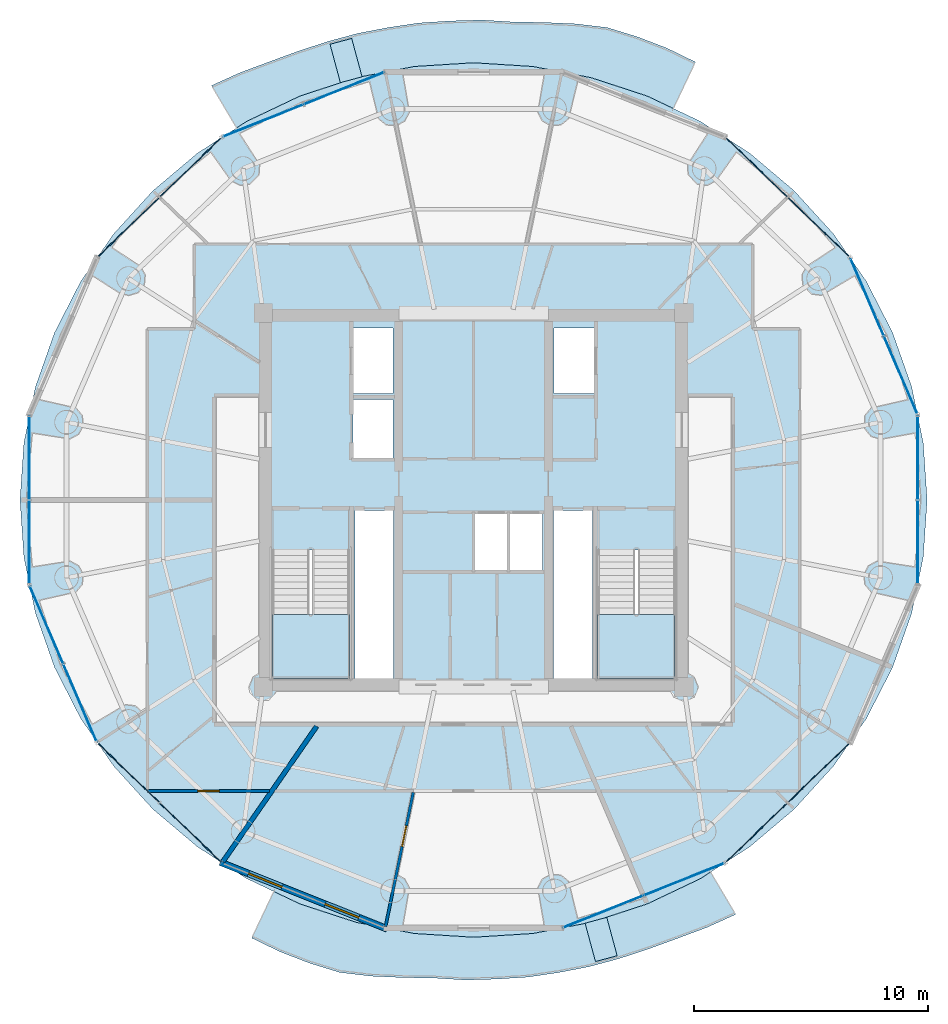
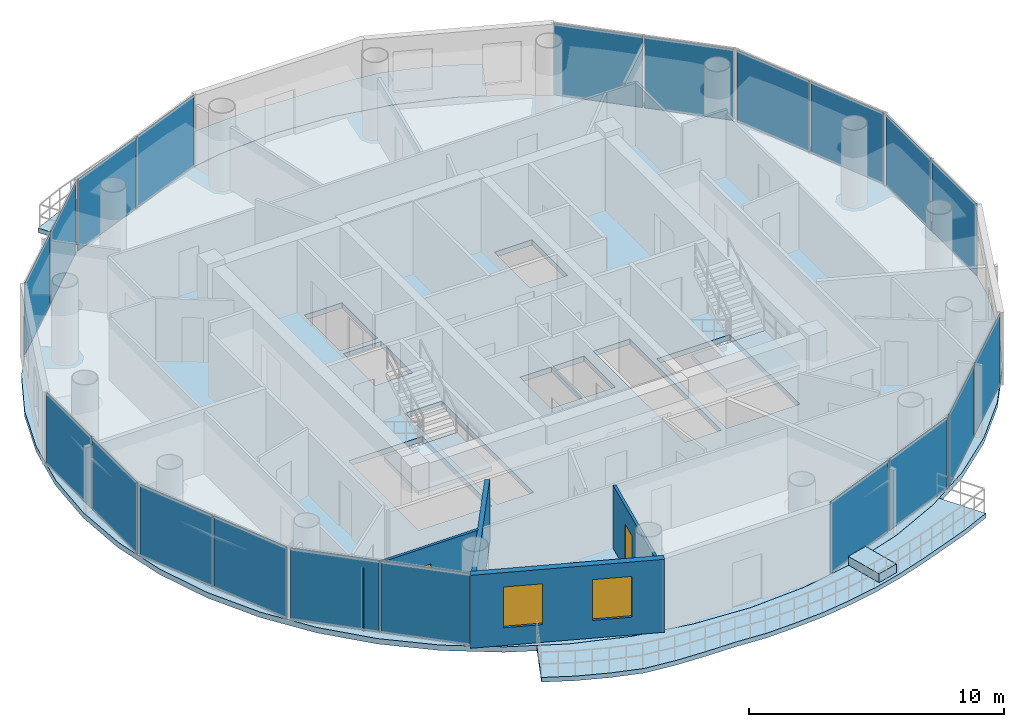
# One storey, part 17 of 24: 20 plates, 7 slabs, 4 walls, 2 doors, 2 windows, 4 openings, 12 elements without a shape of their own.
"""IFC4 building model written with IfcOpenShell, lengths in metres."""

from ifc_helpers import new_model, si_unit, direction, frame, frame_2d, origin, origin_2d, place, context, subcontext, project, spatial, polyline, rectangle, outline, extrude, source, transform, mapped, material, layer, layer_set, type_object, element, fill, aggregate, save


model = new_model("IFC4")

# Units and contexts
model_context = context("Model", 3, precision=1e-05, world=origin(), true_north=direction((-0.2419218956, 0.970295726276)))
body_context = subcontext(model_context, "Body", "Model", "MODEL_VIEW")
ifc_project = project(units=[si_unit("LENGTHUNIT", "METRE"), si_unit("AREAUNIT", "SQUARE_METRE"), si_unit("VOLUMEUNIT", "CUBIC_METRE"), si_unit("PLANEANGLEUNIT", "RADIAN"), si_unit("MASSUNIT", "GRAM", prefix="KILO")], contexts=[model_context])

# Site, building, storey
site_placement = place(None, origin())
site = spatial("IfcSite", under=ifc_project, at=site_placement, CompositionType="ELEMENT")
building_placement = place(site_placement, origin())
building = spatial("IfcBuilding", under=site, at=building_placement, Name="Cobrevalo Terracotta Tower", CompositionType="ELEMENT")
storey_placement = place(building_placement, frame((0.0, 0.0, 270.699951171875)))
storey = spatial("IfcBuildingStorey", under=building, at=storey_placement, Name="L71", CompositionType="ELEMENT", Elevation=270.699951171875)

# Stair, slab
ifc_material_1 = material(Name="Concrete C50", Category="concrete")
stair_type = type_object("IfcStairType", Name="Core protected escape dogleg stair 1600", PredefinedType="HALF_TURN_STAIR", material=ifc_material_1)
stair_1_placement = place(storey_placement, origin())
stair_1 = element("IfcStair", 1, at=stair_1_placement, inside=storey, type_object=stair_type, Name="L71 Protected exit stair ST-1", PredefinedType="HALF_TURN_STAIR")
ifc_layer_1 = layer(ifc_material_1, 0.199951171875)
ifc_layer_set_1 = layer_set([ifc_layer_1], Name="Concrete C50")
slab_type_1 = type_object("IfcSlabType", Name="Reinforced Concrete Stair Landing 200", PredefinedType="LANDING", material=ifc_layer_set_1)
slab_1_placement = place(storey_placement, frame((0.0, 0.0, 1.675048828125)))
slab_1 = element("IfcSlab", 2, at=slab_1_placement, type_object=slab_type_1, Name="ST-1 landing 1", PredefinedType="LANDING", context=body_context, shape_type="SweptSolid", body=[
    extrude(outline(polyline([(29.375, 21.89990234375), (29.375, 19.175048828125), (32.695068359375, 19.175048828125), (32.695068359375, 21.89990234375), (29.375, 21.89990234375)])), origin(), (0.0, 0.0, 1.0), 0.199951171875),
])
aggregate(stair_1, [slab_1])

stair_2_placement = place(storey_placement, origin())
stair_2 = element("IfcStair", 3, at=stair_2_placement, inside=storey, type_object=stair_type, Name="L71 Protected exit stair ST-2", PredefinedType="HALF_TURN_STAIR")
slab_2_placement = place(storey_placement, frame((0.0, 0.0, 1.675048828125)))
slab_2 = element("IfcSlab", 4, at=slab_2_placement, type_object=slab_type_1, Name="ST-2 landing 1", PredefinedType="LANDING", context=body_context, shape_type="SweptSolid", body=[
    extrude(outline(polyline([(43.304931640625, 21.89990234375), (43.304931640625, 19.175048828125), (46.625, 19.175048828125), (46.625, 21.89990234375), (43.304931640625, 21.89990234375)])), origin(), (0.0, 0.0, 1.0), 0.199951171875),
])
aggregate(stair_2, [slab_2])

# Slabs
ifc_material_2 = material(Name="Concrete C45", Category="concrete")
ifc_layer_2 = layer(ifc_material_2, 0.219970703125)
ifc_layer_set_2 = layer_set([ifc_layer_2], Name="Concrete C45")
slab_type_2 = type_object("IfcSlabType", Name="Spiralling cantilevered balcony lobe slab 220 mm", PredefinedType="FLOOR", material=ifc_layer_set_2)
slab_3_placement = place(storey_placement, frame((0.0, 0.0, -0.219970703125)))
element("IfcSlab", 5, at=slab_3_placement, inside=storey, type_object=slab_type_2, Name="L71 spiralling arc balcony slab lobe 1", PredefinedType="FLOOR", context=body_context, shape_type="SweptSolid", body=[
    extrude(outline(polyline([(47.488525390625, 45.53369140625), (46.275146484375, 46.123046875), (45.01171875, 46.609375), (43.716552734375, 47.007568359375), (42.36572265625, 47.1669921875), (41.01318359375, 47.2265625), (39.67333984375, 47.247802734375), (38.342529296875, 47.329833984375), (37.01171875, 47.291015625), (35.68115234375, 47.20556640625), (34.364990234375, 47.01171875), (33.056884765625, 46.760009765625), (31.774169921875, 46.414306640625), (30.510498046875, 46.00048828125), (29.263671875, 45.54443359375), (28.0107421875, 45.07666015625), (26.790283203125, 44.525390625), (27.862060546875, 42.71484375), (28.299072265625, 42.996337890625), (30.5751953125, 44.078369140625), (32.978271484375, 44.86474609375), (35.467529296875, 45.342041015625), (38.0, 45.501953125), (40.532470703125, 45.342041015625), (43.021728515625, 44.86474609375), (45.4248046875, 44.078369140625), (46.545654296875, 43.545654296875), (47.488525390625, 45.53369140625)])), origin(), (0.0, 0.0, 1.0), 0.219970703125),
])
slab_4_placement = place(storey_placement, frame((0.0, 0.0, -0.219970703125)))
element("IfcSlab", 6, at=slab_4_placement, inside=storey, type_object=slab_type_2, Name="L71 spiralling arc balcony slab lobe 2", PredefinedType="FLOOR", context=body_context, shape_type="SweptSolid", body=[
    extrude(outline(polyline([(28.511474609375, 8.06640625), (29.724853515625, 7.476806640625), (30.98828125, 6.990478515625), (32.283447265625, 6.59228515625), (33.63427734375, 6.43310546875), (34.98681640625, 6.37353515625), (36.32666015625, 6.352294921875), (37.657470703125, 6.27001953125), (38.98828125, 6.30908203125), (40.31884765625, 6.39453125), (41.635009765625, 6.588134765625), (42.943115234375, 6.83984375), (44.225830078125, 7.185546875), (45.489501953125, 7.599365234375), (46.736328125, 8.0556640625), (47.9892578125, 8.523193359375), (49.209716796875, 9.074462890625), (48.137939453125, 10.885009765625), (47.700927734375, 10.603515625), (45.4248046875, 9.521484375), (43.021728515625, 8.7353515625), (40.532470703125, 8.258056640625), (38.0, 8.097900390625), (35.467529296875, 8.258056640625), (32.978271484375, 8.7353515625), (30.5751953125, 9.521484375), (29.454345703125, 10.054443359375), (28.511474609375, 8.06640625)])), origin(), (0.0, 0.0, 1.0), 0.219970703125),
])
ifc_material_3 = material(Name="Precast concrete C45", Category="concrete")
ifc_layer_3 = layer(ifc_material_3, 0.419921875)
ifc_layer_set_3 = layer_set([ifc_layer_3], Name="Precast concrete C45")
slab_type_3 = type_object("IfcSlabType", Name="Structural tree planter trough base 420 mm", PredefinedType="USERDEFINED", material=ifc_layer_set_3)
slab_5_placement = place(storey_placement, origin())
element("IfcSlab", 7, at=slab_5_placement, inside=storey, type_object=slab_type_3, Name="L71 structural tree planter trough 1", ObjectType="PLANTER", PredefinedType="USERDEFINED", context=body_context, shape_type="SweptSolid", body=[
    extrude(outline(polyline([(33.230224609375, 44.901123046875), (32.786376953125, 46.5419921875), (31.85986328125, 46.29150390625), (32.3037109375, 44.650390625), (33.230224609375, 44.901123046875)])), origin(), (0.0, 0.0, 1.0), 0.420166015625),
])
slab_6_placement = place(storey_placement, origin())
element("IfcSlab", 8, at=slab_6_placement, inside=storey, type_object=slab_type_3, Name="L71 structural tree planter trough 2", ObjectType="PLANTER", PredefinedType="USERDEFINED", context=body_context, shape_type="SweptSolid", body=[
    extrude(outline(polyline([(42.769775390625, 8.698974609375), (43.213623046875, 7.057861328125), (44.14013671875, 7.30859375), (43.6962890625, 8.949462890625), (42.769775390625, 8.698974609375)])), origin(), (0.0, 0.0, 1.0), 0.420166015625),
])
ifc_layer_4 = layer(ifc_material_2, 0.260009765625)
ifc_layer_set_4 = layer_set([ifc_layer_4], Name="Concrete C45")
slab_type_4 = type_object("IfcSlabType", Name="Zone Z5 elliptical floor plate 260 mm", PredefinedType="FLOOR", material=ifc_layer_set_4)
slab_7_placement = place(storey_placement, frame((0.0, 0.0, -0.260009765625)))
element("IfcSlab", 9, at=slab_7_placement, inside=storey, type_object=slab_type_4, Name="L71 indoor elliptical floor slab", PredefinedType="FLOOR", context=body_context, shape_type="SweptSolid", body=[
    extrude(outline(polyline([(57.234130859375, 24.359130859375), (56.739013671875, 21.9599609375), (55.92333984375, 19.643798828125), (54.80078125, 17.449951171875), (53.39111328125, 15.416259765625), (51.7177734375, 13.5771484375), (49.81005859375, 11.96435546875), (47.699951171875, 10.605224609375), (45.424072265625, 9.5234375), (43.02099609375, 8.7373046875), (40.5322265625, 8.260009765625), (38.0, 8.10009765625), (35.4677734375, 8.260009765625), (32.97900390625, 8.7373046875), (30.575927734375, 9.5234375), (28.300048828125, 10.605224609375), (26.18994140625, 11.96435546875), (24.2822265625, 13.5771484375), (22.60888671875, 15.416259765625), (21.19921875, 17.449951171875), (20.07666015625, 19.643798828125), (19.260986328125, 21.9599609375), (18.765869140625, 24.359130859375), (18.60009765625, 26.800048828125), (18.765869140625, 29.24072265625), (19.260986328125, 31.639892578125), (20.07666015625, 33.956298828125), (21.19921875, 36.14990234375), (22.60888671875, 38.183837890625), (24.2822265625, 40.02294921875), (26.18994140625, 41.6357421875), (28.300048828125, 42.99462890625), (30.575927734375, 44.07666015625), (32.97900390625, 44.86279296875), (35.4677734375, 45.340087890625), (38.0, 45.5), (40.5322265625, 45.340087890625), (43.02099609375, 44.86279296875), (45.424072265625, 44.07666015625), (47.699951171875, 42.99462890625), (49.81005859375, 41.6357421875), (51.7177734375, 40.02294921875), (53.39111328125, 38.183837890625), (54.80078125, 36.14990234375), (55.92333984375, 33.956298828125), (56.739013671875, 31.639892578125), (57.234130859375, 29.24072265625), (57.39990234375, 26.800048828125), (57.234130859375, 24.359130859375)]), holes=[polyline([(32.695068359375, 19.175048828125), (32.695068359375, 24.659912109375), (29.375, 24.659912109375), (29.375, 19.175048828125), (32.695068359375, 19.175048828125)]), polyline([(46.625, 19.175048828125), (46.625, 24.659912109375), (43.304931640625, 24.659912109375), (43.304931640625, 19.175048828125), (46.625, 19.175048828125)]), polyline([(34.574951171875, 26.360107421875), (32.919921875, 26.360107421875), (32.919921875, 19.175048828125), (34.574951171875, 19.175048828125), (34.574951171875, 26.360107421875)]), polyline([(43.080078125, 26.360107421875), (41.425048828125, 26.360107421875), (41.425048828125, 19.175048828125), (43.080078125, 19.175048828125), (43.080078125, 26.360107421875)]), polyline([(39.469970703125, 26.25), (38.0400390625, 26.25), (38.0400390625, 23.800048828125), (39.469970703125, 23.800048828125), (39.469970703125, 26.25)]), polyline([(40.949951171875, 26.25), (39.52001953125, 26.25), (39.52001953125, 23.800048828125), (40.949951171875, 23.800048828125), (40.949951171875, 26.25)]), polyline([(34.550048828125, 31.10009765625), (32.85009765625, 31.10009765625), (32.85009765625, 28.60009765625), (34.550048828125, 28.60009765625), (34.550048828125, 31.10009765625)]), polyline([(34.550048828125, 31.35009765625), (34.550048828125, 34.14990234375), (32.85009765625, 34.14990234375), (32.85009765625, 31.35009765625), (34.550048828125, 31.35009765625)]), polyline([(43.14990234375, 31.35009765625), (43.14990234375, 34.14990234375), (41.449951171875, 34.14990234375), (41.449951171875, 31.35009765625), (43.14990234375, 31.35009765625)])]), origin(), (0.0, 0.0, 1.0), 0.260009765625),
])

# Curtain wall, plates
ifc_material_4 = material(Name="Anodized aluminium", Category="aluminium")
curtain_wall_type = type_object("IfcCurtainWallType", Name="Upper-tower triple-glazed penthouse curtain wall CW-U3", PredefinedType="NOTDEFINED", material=ifc_material_4)
curtain_wall_1_placement = place(storey_placement, origin())
curtain_wall_1 = element("IfcCurtainWall", 10, at=curtain_wall_1_placement, inside=storey, type_object=curtain_wall_type, Name="L71 curtain wall CW-L71-S02", PredefinedType="NOTDEFINED")
ifc_material_5 = material(Name="Solar-control low-E double glazing", Category="glass")
ifc_layer_5 = layer(ifc_material_5, 0.028076171875)
ifc_layer_set_5 = layer_set([ifc_layer_5], Name="Solar-control low-E double glazing")
plate_type = type_object("IfcPlateType", Name="Tower solar-control low-E vision glass panel 28 mm", PredefinedType="CURTAIN_PANEL", material=ifc_layer_set_5)
shared_shape_1 = source(origin(), body_context, "Body", "SweptSolid", [
    extrude(rectangle(XDim=3.59130859375, YDim=0.035888671875, at=origin_2d()), origin(), (0.0, 0.0, 1.0), 3.409912109375),
])
plate_1_placement = place(storey_placement, frame((52.755126953125, 38.47412109375, 0.0400390625), z_axis=(0.0, 0.0, 1.0), x_axis=(-0.719996603293, 0.693977586992, 0.0)))
plate_1 = element("IfcPlate", 11, at=plate_1_placement, type_object=plate_type, Name="CW-L71-S02 glazing panel B01", PredefinedType="CURTAIN_PANEL", context=body_context, shape_type="MappedRepresentation", body=[
    mapped(shared_shape_1, transform((0.0, 0.0, 0.0), scale=1.0)),
])
plate_2_placement = place(storey_placement, frame((50.11181640625, 41.02197265625, 0.0400390625), z_axis=(0.0, 0.0, 1.0), x_axis=(-0.719996603293, 0.693977586992, 0.0)))
plate_2 = element("IfcPlate", 12, at=plate_2_placement, type_object=plate_type, Name="CW-L71-S02 glazing panel B02", PredefinedType="CURTAIN_PANEL", context=body_context, shape_type="MappedRepresentation", body=[
    mapped(shared_shape_1, transform((0.0, 0.0, 0.0), scale=1.0)),
])
aggregate(curtain_wall_1, [plate_1, plate_2])

curtain_wall_2_placement = place(storey_placement, origin())
curtain_wall_2 = element("IfcCurtainWall", 13, at=curtain_wall_2_placement, inside=storey, type_object=curtain_wall_type, Name="L71 curtain wall CW-L71-S06", PredefinedType="NOTDEFINED")
plate_3_placement = place(storey_placement, frame((25.88818359375, 41.02197265625, 0.0400390625), z_axis=(0.0, 0.0, 1.0), x_axis=(-0.719996603293, -0.693977586992, 0.0)))
plate_3 = element("IfcPlate", 14, at=plate_3_placement, type_object=plate_type, Name="CW-L71-S06 glazing panel B01", PredefinedType="CURTAIN_PANEL", context=body_context, shape_type="MappedRepresentation", body=[
    mapped(shared_shape_1, transform((0.0, 0.0, 0.0), scale=1.0)),
])
plate_4_placement = place(storey_placement, frame((23.244873046875, 38.47412109375, 0.0400390625), z_axis=(0.0, 0.0, 1.0), x_axis=(-0.719996603293, -0.693977586992, 0.0)))
plate_4 = element("IfcPlate", 15, at=plate_4_placement, type_object=plate_type, Name="CW-L71-S06 glazing panel B02", PredefinedType="CURTAIN_PANEL", context=body_context, shape_type="MappedRepresentation", body=[
    mapped(shared_shape_1, transform((0.0, 0.0, 0.0), scale=1.0)),
])
aggregate(curtain_wall_2, [plate_3, plate_4])

curtain_wall_3_placement = place(storey_placement, origin())
curtain_wall_3 = element("IfcCurtainWall", 16, at=curtain_wall_3_placement, inside=storey, type_object=curtain_wall_type, Name="L71 curtain wall CW-L71-S10", PredefinedType="NOTDEFINED")
plate_5_placement = place(storey_placement, frame((23.244873046875, 15.1259765625, 0.0400390625), z_axis=(0.0, 0.0, 1.0), x_axis=(0.719996603293, -0.693977586992, 0.0)))
plate_5 = element("IfcPlate", 17, at=plate_5_placement, type_object=plate_type, Name="CW-L71-S10 glazing panel B01", PredefinedType="CURTAIN_PANEL", context=body_context, shape_type="MappedRepresentation", body=[
    mapped(shared_shape_1, transform((0.0, 0.0, 0.0), scale=1.0)),
])
plate_6_placement = place(storey_placement, frame((25.88818359375, 12.578125, 0.0400390625), z_axis=(0.0, 0.0, 1.0), x_axis=(0.719996603293, -0.693977586992, 0.0)))
plate_6 = element("IfcPlate", 18, at=plate_6_placement, type_object=plate_type, Name="CW-L71-S10 glazing panel B02", PredefinedType="CURTAIN_PANEL", context=body_context, shape_type="MappedRepresentation", body=[
    mapped(shared_shape_1, transform((0.0, 0.0, 0.0), scale=1.0)),
])
aggregate(curtain_wall_3, [plate_5, plate_6])

curtain_wall_4_placement = place(storey_placement, origin())
curtain_wall_4 = element("IfcCurtainWall", 19, at=curtain_wall_4_placement, inside=storey, type_object=curtain_wall_type, Name="L71 curtain wall CW-L71-S14", PredefinedType="NOTDEFINED")
plate_7_placement = place(storey_placement, frame((50.11181640625, 12.578125, 0.0400390625), z_axis=(0.0, 0.0, 1.0), x_axis=(0.719996603293, 0.693977586992, 0.0)))
plate_7 = element("IfcPlate", 20, at=plate_7_placement, type_object=plate_type, Name="CW-L71-S14 glazing panel B01", PredefinedType="CURTAIN_PANEL", context=body_context, shape_type="MappedRepresentation", body=[
    mapped(shared_shape_1, transform((0.0, 0.0, 0.0), scale=1.0)),
])
plate_8_placement = place(storey_placement, frame((52.755126953125, 15.1259765625, 0.0400390625), z_axis=(0.0, 0.0, 1.0), x_axis=(0.719996603293, 0.693977586992, 0.0)))
plate_8 = element("IfcPlate", 21, at=plate_8_placement, type_object=plate_type, Name="CW-L71-S14 glazing panel B02", PredefinedType="CURTAIN_PANEL", context=body_context, shape_type="MappedRepresentation", body=[
    mapped(shared_shape_1, transform((0.0, 0.0, 0.0), scale=1.0)),
])
aggregate(curtain_wall_4, [plate_7, plate_8])

curtain_wall_5_placement = place(storey_placement, origin())
curtain_wall_5 = element("IfcCurtainWall", 22, at=curtain_wall_5_placement, inside=storey, type_object=curtain_wall_type, Name="L71 curtain wall CW-L71-S05", PredefinedType="NOTDEFINED")
shared_shape_2 = source(origin(), body_context, "Body", "SweptSolid", [
    extrude(rectangle(XDim=3.63916015625, YDim=0.035888671875, at=origin_2d()), origin(), (0.0, 0.0, 1.0), 3.409912109375),
])
plate_9_placement = place(storey_placement, frame((32.456787109375, 44.406982421875, 0.0400390625), z_axis=(0.0, 0.0, 1.0), x_axis=(-0.92871833374, -0.370785998353, 0.0)))
plate_9 = element("IfcPlate", 23, at=plate_9_placement, type_object=plate_type, Name="CW-L71-S05 glazing panel B01", PredefinedType="CURTAIN_PANEL", context=body_context, shape_type="MappedRepresentation", body=[
    mapped(shared_shape_2, transform((0.0, 0.0, 0.0), scale=1.0)),
])
plate_10_placement = place(storey_placement, frame((29.002685546875, 43.02783203125, 0.0400390625), z_axis=(0.0, 0.0, 1.0), x_axis=(-0.92871833374, -0.370785998353, 0.0)))
plate_10 = element("IfcPlate", 24, at=plate_10_placement, type_object=plate_type, Name="CW-L71-S05 glazing panel B02", PredefinedType="CURTAIN_PANEL", context=body_context, shape_type="MappedRepresentation", body=[
    mapped(shared_shape_2, transform((0.0, 0.0, 0.0), scale=1.0)),
])
aggregate(curtain_wall_5, [plate_9, plate_10])

curtain_wall_6_placement = place(storey_placement, origin())
curtain_wall_6 = element("IfcCurtainWall", 25, at=curtain_wall_6_placement, inside=storey, type_object=curtain_wall_type, Name="L71 curtain wall CW-L71-S13", PredefinedType="NOTDEFINED")
plate_11_placement = place(storey_placement, frame((43.543212890625, 9.193115234375, 0.0400390625), z_axis=(0.0, 0.0, 1.0), x_axis=(0.92871833374, 0.370785998353, 0.0)))
plate_11 = element("IfcPlate", 26, at=plate_11_placement, type_object=plate_type, Name="CW-L71-S13 glazing panel B01", PredefinedType="CURTAIN_PANEL", context=body_context, shape_type="MappedRepresentation", body=[
    mapped(shared_shape_2, transform((0.0, 0.0, 0.0), scale=1.0)),
])
plate_12_placement = place(storey_placement, frame((46.997314453125, 10.572021484375, 0.0400390625), z_axis=(0.0, 0.0, 1.0), x_axis=(0.92871833374, 0.370785998353, 0.0)))
plate_12 = element("IfcPlate", 27, at=plate_12_placement, type_object=plate_type, Name="CW-L71-S13 glazing panel B02", PredefinedType="CURTAIN_PANEL", context=body_context, shape_type="MappedRepresentation", body=[
    mapped(shared_shape_2, transform((0.0, 0.0, 0.0), scale=1.0)),
])
aggregate(curtain_wall_6, [plate_11, plate_12])

curtain_wall_7_placement = place(storey_placement, origin())
curtain_wall_7 = element("IfcCurtainWall", 28, at=curtain_wall_7_placement, inside=storey, type_object=curtain_wall_type, Name="L71 curtain wall CW-L71-S01", PredefinedType="NOTDEFINED")
shared_shape_3 = source(origin(), body_context, "Body", "SweptSolid", [
    extrude(rectangle(XDim=3.542724609375, YDim=0.035888671875, at=origin_2d()), origin(), (0.0, 0.0, 1.0), 3.409912109375),
])
plate_13_placement = place(storey_placement, frame((56.266845703125, 32.143310546875, 0.0400390625), z_axis=(0.0, 0.0, 1.0), x_axis=(-0.394828845134, 0.918754691444, 0.0)))
plate_13 = element("IfcPlate", 29, at=plate_13_placement, type_object=plate_type, Name="CW-L71-S01 glazing panel B01", PredefinedType="CURTAIN_PANEL", context=body_context, shape_type="MappedRepresentation", body=[
    mapped(shared_shape_3, transform((0.0, 0.0, 0.0), scale=1.0)),
])
plate_14_placement = place(storey_placement, frame((54.83642578125, 35.4716796875, 0.0400390625), z_axis=(0.0, 0.0, 1.0), x_axis=(-0.394828845134, 0.918754691444, 0.0)))
plate_14 = element("IfcPlate", 30, at=plate_14_placement, type_object=plate_type, Name="CW-L71-S01 glazing panel B02", PredefinedType="CURTAIN_PANEL", context=body_context, shape_type="MappedRepresentation", body=[
    mapped(shared_shape_3, transform((0.0, 0.0, 0.0), scale=1.0)),
])
aggregate(curtain_wall_7, [plate_13, plate_14])

curtain_wall_8_placement = place(storey_placement, origin())
curtain_wall_8 = element("IfcCurtainWall", 31, at=curtain_wall_8_placement, inside=storey, type_object=curtain_wall_type, Name="L71 curtain wall CW-L71-S09", PredefinedType="NOTDEFINED")
plate_15_placement = place(storey_placement, frame((19.733154296875, 21.456787109375, 0.0400390625), z_axis=(0.0, 0.0, 1.0), x_axis=(0.394828845134, -0.918754691444, 0.0)))
plate_15 = element("IfcPlate", 32, at=plate_15_placement, type_object=plate_type, Name="CW-L71-S09 glazing panel B01", PredefinedType="CURTAIN_PANEL", context=body_context, shape_type="MappedRepresentation", body=[
    mapped(shared_shape_3, transform((0.0, 0.0, 0.0), scale=1.0)),
])
plate_16_placement = place(storey_placement, frame((21.16357421875, 18.12841796875, 0.0400390625), z_axis=(0.0, 0.0, 1.0), x_axis=(0.394828845134, -0.918754691444, 0.0)))
plate_16 = element("IfcPlate", 33, at=plate_16_placement, type_object=plate_type, Name="CW-L71-S09 glazing panel B02", PredefinedType="CURTAIN_PANEL", context=body_context, shape_type="MappedRepresentation", body=[
    mapped(shared_shape_3, transform((0.0, 0.0, 0.0), scale=1.0)),
])
aggregate(curtain_wall_8, [plate_15, plate_16])

curtain_wall_9_placement = place(storey_placement, origin())
curtain_wall_9 = element("IfcCurtainWall", 34, at=curtain_wall_9_placement, inside=storey, type_object=curtain_wall_type, Name="L71 curtain wall CW-L71-S08", PredefinedType="NOTDEFINED")
shared_shape_4 = source(origin(), body_context, "Body", "SweptSolid", [
    extrude(rectangle(XDim=3.522216796875, YDim=0.035888671875, at=origin_2d()), origin(), (0.0, 0.0, 1.0), 3.409912109375),
])
plate_17_placement = place(storey_placement, frame((19.002197265625, 28.60107421875, 0.0400390625), z_axis=(0.0, 0.0, 1.0), x_axis=(0.0, -1.0, 0.0)))
plate_17 = element("IfcPlate", 35, at=plate_17_placement, type_object=plate_type, Name="CW-L71-S08 glazing panel B01", PredefinedType="CURTAIN_PANEL", context=body_context, shape_type="MappedRepresentation", body=[
    mapped(shared_shape_4, transform((0.0, 0.0, 0.0), scale=1.0)),
])
plate_18_placement = place(storey_placement, frame((19.002197265625, 24.998779296875, 0.0400390625), z_axis=(0.0, 0.0, 1.0), x_axis=(0.0, -1.0, 0.0)))
plate_18 = element("IfcPlate", 36, at=plate_18_placement, type_object=plate_type, Name="CW-L71-S08 glazing panel B02", PredefinedType="CURTAIN_PANEL", context=body_context, shape_type="MappedRepresentation", body=[
    mapped(shared_shape_4, transform((0.0, 0.0, 0.0), scale=1.0)),
])
aggregate(curtain_wall_9, [plate_17, plate_18])

curtain_wall_10_placement = place(storey_placement, origin())
curtain_wall_10 = element("IfcCurtainWall", 37, at=curtain_wall_10_placement, inside=storey, type_object=curtain_wall_type, Name="L71 curtain wall CW-L71-S16", PredefinedType="NOTDEFINED")
plate_19_placement = place(storey_placement, frame((56.997802734375, 24.998779296875, 0.0400390625), z_axis=(0.0, 0.0, 1.0), x_axis=(0.0, 1.0, 0.0)))
plate_19 = element("IfcPlate", 38, at=plate_19_placement, type_object=plate_type, Name="CW-L71-S16 glazing panel B01", PredefinedType="CURTAIN_PANEL", context=body_context, shape_type="MappedRepresentation", body=[
    mapped(shared_shape_4, transform((0.0, 0.0, 0.0), scale=1.0)),
])
plate_20_placement = place(storey_placement, frame((56.997802734375, 28.60107421875, 0.0400390625), z_axis=(0.0, 0.0, 1.0), x_axis=(0.0, 1.0, 0.0)))
plate_20 = element("IfcPlate", 39, at=plate_20_placement, type_object=plate_type, Name="CW-L71-S16 glazing panel B02", PredefinedType="CURTAIN_PANEL", context=body_context, shape_type="MappedRepresentation", body=[
    mapped(shared_shape_4, transform((0.0, 0.0, 0.0), scale=1.0)),
])
aggregate(curtain_wall_10, [plate_19, plate_20])

# Wall
ifc_material_6 = material(Name="Autoclaved aerated concrete block", Category="concrete")
ifc_layer_6 = layer(ifc_material_6, 0.199951171875)
ifc_layer_set_6 = layer_set([ifc_layer_6], Name="Autoclaved aerated concrete block")
wall_type_1 = type_object("IfcWallType", Name="Fire-rated stair, shaft & demising masonry wall 200 mm", PredefinedType="PARTITIONING", material=ifc_layer_set_6)
wall_1_placement = place(storey_placement, frame((31.286376953125, 17.114990234375, 0.0), z_axis=(0.0, 0.0, 1.0), x_axis=(-0.569682734556, -0.821864698079, 0.0)))
element("IfcWall", 40, at=wall_1_placement, inside=storey, type_object=wall_type_1, Name="L71 interior partition IW-L71-DEM-3", PredefinedType="PARTITIONING", context=body_context, shape_type="SweptSolid", body=[
    extrude(rectangle(XDim=7.034423828125, YDim=0.199951171875, at=frame_2d((3.51708984375, 0.0))), origin(), (0.0, 0.0, 1.0), 3.01513671875),
])

# Wall, openings, windows
ifc_layer_7 = layer(ifc_material_6, 0.280029296875)
ifc_layer_set_7 = layer_set([ifc_layer_7], Name="Autoclaved aerated concrete block")
wall_type_2 = type_object("IfcWallType", Name="Insulated tower spandrel & pier wall 280 mm with terracotta rainscreen", PredefinedType="SOLIDWALL", material=ifc_layer_set_7)
wall_2_placement = place(storey_placement, frame((27.164306640625, 11.30615234375, 0.0), z_axis=(0.0, 0.0, 1.0), x_axis=(0.92871332341, -0.370798547626, 0.0)))
wall_2 = element("IfcWall", 41, at=wall_2_placement, inside=storey, type_object=wall_type_2, Name="L71 terracotta rainscreen pier wall S11", PredefinedType="SOLIDWALL", context=body_context, shape_type="SweptSolid", body=[
    extrude(rectangle(XDim=7.678466796875, YDim=0.280029296875, at=frame_2d((3.83935546875, 0.0))), origin(), (0.0, 0.0, 1.0), 3.489990234375),
])
opening_1_placement = place(wall_2_placement, frame((1.298095703125, 0.0, 0.85009765625)))
opening_1 = element("IfcOpeningElement", 42, at=opening_1_placement, cuts=wall_2, Name="Opening WN-12", PredefinedType="OPENING", context=body_context, shape_type="SweptSolid", body=[
    extrude(rectangle(XDim=1.550048828125, YDim=1.949951171875, at=frame_2d((0.77490234375, 0.97509765625))), frame((0.0, 0.14990234375, 0.0), z_axis=(0.0, -1.0, 0.0), x_axis=(1.0, 0.0, 0.0)), (0.0, 0.0, 1.0), 0.300048828125),
])
opening_2_placement = place(wall_2_placement, frame((4.830078125, 0.0, 0.85009765625)))
opening_2 = element("IfcOpeningElement", 43, at=opening_2_placement, cuts=wall_2, Name="Opening WN-12", PredefinedType="OPENING", context=body_context, shape_type="SweptSolid", body=[
    extrude(rectangle(XDim=1.550048828125, YDim=1.949951171875, at=frame_2d((0.77490234375, 0.97509765625))), frame((0.0, 0.14990234375, 0.0), z_axis=(0.0, -1.0, 0.0), x_axis=(1.0, 0.0, 0.0)), (0.0, 0.0, 1.0), 0.300048828125),
])
window_type = type_object("IfcWindowType", Name="Solar-control low-E aluminium window 1550x1950", PartitioningType="SINGLE_PANEL", PredefinedType="WINDOW", material=ifc_material_5)
shared_shape_5 = source(origin(), body_context, "Body", "SweptSolid", [
    extrude(rectangle(XDim=1.550048828125, YDim=1.949951171875, at=frame_2d((0.77490234375, 0.97509765625))), frame((0.0, 0.030029296875, 0.0), z_axis=(0.0, -1.0, 0.0), x_axis=(1.0, 0.0, 0.0)), (0.0, 0.0, 1.0), 0.06005859375),
])
window_1_placement = place(opening_1_placement, origin())
window_1 = element("IfcWindow", 44, at=window_1_placement, inside=storey, type_object=window_type, Name="L71 suite window S11A", OverallHeight=1.949951171875, OverallWidth=1.550048828125, PartitioningType="SINGLE_PANEL", PredefinedType="WINDOW", context=body_context, shape_type="MappedRepresentation", body=[
    mapped(shared_shape_5, transform((0.0, 0.0, 0.0), scale=1.0)),
])
fill(opening_1, window_1)
window_2_placement = place(opening_2_placement, origin())
window_2 = element("IfcWindow", 45, at=window_2_placement, inside=storey, type_object=window_type, Name="L71 suite window S11B", OverallHeight=1.949951171875, OverallWidth=1.550048828125, PartitioningType="SINGLE_PANEL", PredefinedType="WINDOW", context=body_context, shape_type="MappedRepresentation", body=[
    mapped(shared_shape_5, transform((0.0, 0.0, 0.0), scale=1.0)),
])
fill(opening_2, window_2)

# Wall, opening, door
ifc_material_7 = material(Name="Gypsum board on steel stud", Category="steel")
ifc_layer_8 = layer(ifc_material_7, 0.1201171875)
ifc_layer_set_8 = layer_set([ifc_layer_8], Name="Gypsum board on steel stud")
wall_type_3 = type_object("IfcWallType", Name="Residential internal acoustic stud partition 120 mm", PredefinedType="PARTITIONING", material=ifc_layer_set_8)
wall_3_placement = place(storey_placement, frame((29.271240234375, 14.35498046875, 0.0), z_axis=(0.0, 0.0, 1.0), x_axis=(-1.0, 0.0, 0.0)))
wall_3 = element("IfcWall", 46, at=wall_3_placement, inside=storey, type_object=wall_type_3, Name="L71 interior partition IW-L71-U2-RING0_0", PredefinedType="PARTITIONING", context=body_context, shape_type="SweptSolid", body=[
    extrude(rectangle(XDim=5.21630859375, YDim=0.1201171875, at=frame_2d((2.608154296875, 0.0))), origin(), (0.0, 0.0, 1.0), 3.01513671875),
])
opening_3_placement = place(wall_3_placement, frame((2.158203125, 0.0, 0.0)))
opening_3 = element("IfcOpeningElement", 47, at=opening_3_placement, cuts=wall_3, Name="Opening ID-12", PredefinedType="OPENING", context=body_context, shape_type="SweptSolid", body=[
    extrude(rectangle(XDim=0.89990234375, YDim=2.14990234375, at=frame_2d((0.449951171875, 1.074951171875))), frame((0.0, 0.070068359375, 0.0), z_axis=(0.0, -1.0, 0.0), x_axis=(1.0, 0.0, 0.0)), (0.0, 0.0, 1.0), 0.14013671875),
])
ifc_material_8 = material(Name="Engineered timber", Category="wood")
door_type = type_object("IfcDoorType", Name="Internal residence & suite timber door 900x2150", OperationType="NOTDEFINED", PredefinedType="DOOR", material=ifc_material_8)
shared_shape_6 = source(origin(), body_context, "Body", "SweptSolid", [
    extrude(rectangle(XDim=0.89990234375, YDim=2.14990234375, at=frame_2d((0.449951171875, 1.074951171875))), frame((0.0, 0.02490234375, 0.0), z_axis=(0.0, -1.0, 0.0), x_axis=(1.0, 0.0, 0.0)), (0.0, 0.0, 1.0), 0.050048828125),
])
door_1_placement = place(opening_3_placement, frame((0.89990234375, 0.0, 0.0), z_axis=(0.0, 0.0, 1.0), x_axis=(-1.0, 0.0, 0.0)))
door_1 = element("IfcDoor", 48, at=door_1_placement, inside=storey, type_object=door_type, Name="Flat L71B Master Bedroom internal door", OperationType="SINGLE_SWING_LEFT", OverallHeight=2.14990234375, OverallWidth=0.89990234375, PredefinedType="DOOR", context=body_context, shape_type="MappedRepresentation", body=[
    mapped(shared_shape_6, transform((0.0, 0.0, 0.0), scale=1.0)),
])
fill(opening_3, door_1)

wall_4_placement = place(storey_placement, frame((35.41943359375, 14.294189453125, 0.0), z_axis=(0.0, 0.0, 1.0), x_axis=(-0.202123253109, -0.979360092383, 0.0)))
wall_4 = element("IfcWall", 49, at=wall_4_placement, inside=storey, type_object=wall_type_3, Name="L71 interior partition IW-L71-U3-ORAD1", PredefinedType="PARTITIONING", context=body_context, shape_type="SweptSolid", body=[
    extrude(rectangle(XDim=5.858154296875, YDim=0.1201171875, at=frame_2d((2.92919921875, 0.0))), origin(), (0.0, 0.0, 1.0), 3.01513671875),
])
opening_4_placement = place(wall_4_placement, frame((1.464111328125, 0.0, 0.0)))
opening_4 = element("IfcOpeningElement", 50, at=opening_4_placement, cuts=wall_4, Name="Opening ID-12", PredefinedType="OPENING", context=body_context, shape_type="SweptSolid", body=[
    extrude(rectangle(XDim=0.89990234375, YDim=2.14990234375, at=frame_2d((0.449951171875, 1.074951171875))), frame((0.0, 0.070068359375, 0.0), z_axis=(0.0, -1.0, 0.0), x_axis=(1.0, 0.0, 0.0)), (0.0, 0.0, 1.0), 0.14013671875),
])
door_2_placement = place(opening_4_placement, frame((0.89990234375, 0.0, 0.0), z_axis=(0.0, 0.0, 1.0), x_axis=(-1.0, 0.0, 0.0)))
door_2 = element("IfcDoor", 51, at=door_2_placement, inside=storey, type_object=door_type, Name="Flat L71C Living and Dining Room internal door", OperationType="SINGLE_SWING_RIGHT", OverallHeight=2.14990234375, OverallWidth=0.89990234375, PredefinedType="DOOR", context=body_context, shape_type="MappedRepresentation", body=[
    mapped(shared_shape_6, transform((0.0, 0.0, 0.0), scale=1.0)),
])
fill(opening_4, door_2)

save(model, "model.ifc")
